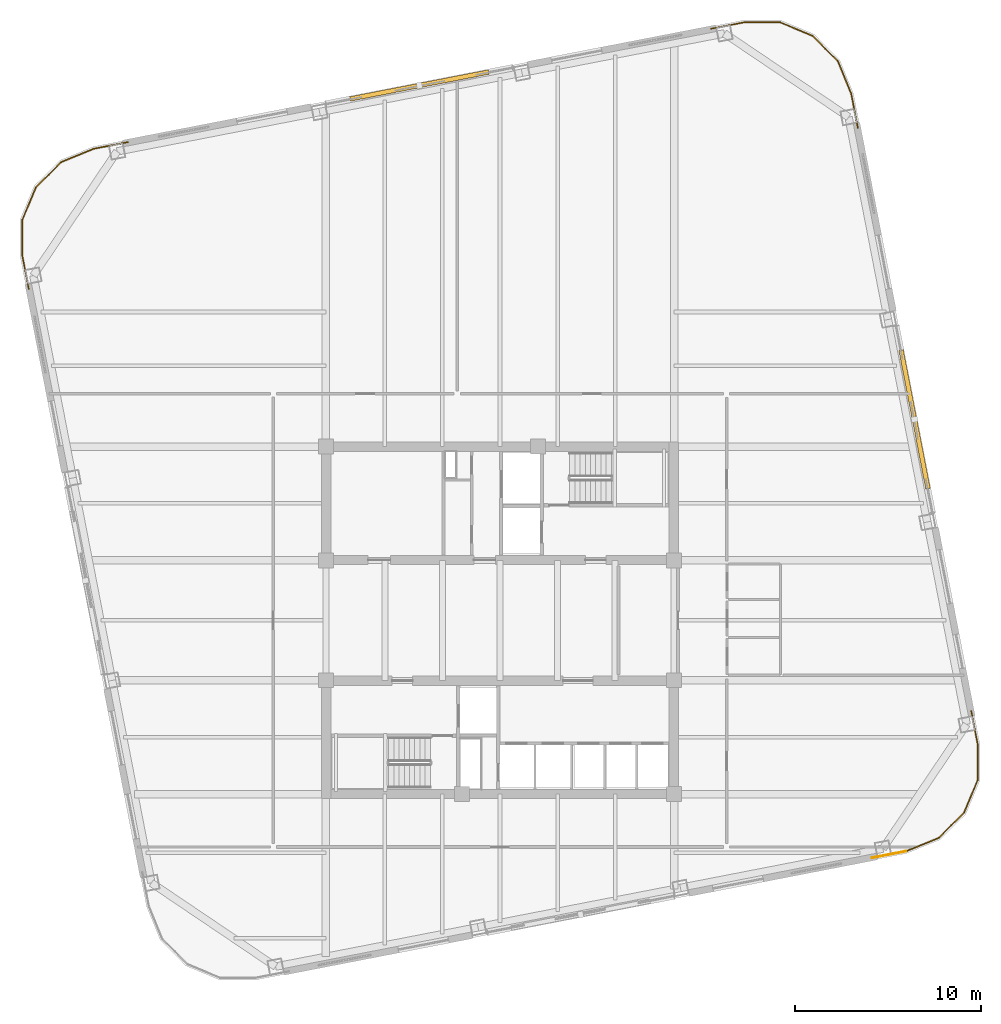
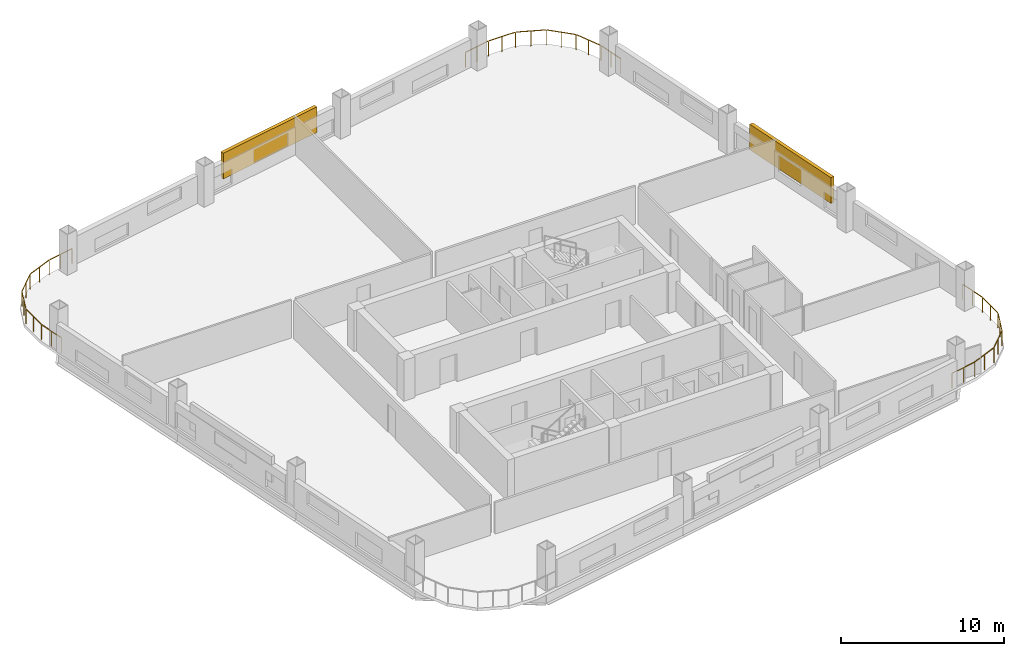
# One storey, part 8 of 8: 4 railings, 2 shading devices.
"""IFC4 building model written with IfcOpenShell, lengths in metres."""

from ifc_helpers import new_model, si_unit, direction, frame, origin, origin_2d, place, context, subcontext, project, spatial, rectangle, extrude, material, type_object, element, save


model = new_model("IFC4")

# Units and contexts
model_context = context("Model", 3, precision=1e-05, world=origin(), true_north=direction((0.0, 1.0)))
body_context = subcontext(model_context, "Body", "Model", "MODEL_VIEW")
ifc_project = project(units=[si_unit("LENGTHUNIT", "METRE"), si_unit("AREAUNIT", "SQUARE_METRE"), si_unit("VOLUMEUNIT", "CUBIC_METRE"), si_unit("PLANEANGLEUNIT", "RADIAN"), si_unit("MASSUNIT", "GRAM", prefix="KILO")], contexts=[model_context])

# Site, building, storey
site_placement = place(None, origin())
site = spatial("IfcSite", under=ifc_project, at=site_placement, CompositionType="ELEMENT")
building_placement = place(site_placement, origin())
building = spatial("IfcBuilding", under=site, at=building_placement, Name="Qhalaya Broadcast Tower", CompositionType="ELEMENT")
storey_placement = place(building_placement, frame((0.0, 0.0, 115.85009765625)))
storey = spatial("IfcBuildingStorey", under=building, at=storey_placement, Name="L33", CompositionType="ELEMENT", Elevation=115.85009765625)

# Railings
ifc_material_1 = material(Name="Powder-Coated Galvanised Steel", Category="steel")
railing_type = type_object("IfcRailingType", Name="Terrace, Sky-Pool & Lookout Glass Balustrade 1150", PredefinedType="BALUSTRADE", material=ifc_material_1)
railing_1_placement = place(storey_placement, frame((21.847412109375, -11.82861328125, 0.0)))
element("IfcRailing", 1, at=railing_1_placement, inside=storey, type_object=railing_type, Name="L33 Rounded Corner Perimeter Guard 01", PredefinedType="BALUSTRADE", context=body_context, shape_type="SweptSolid", body=[
    extrude(rectangle(XDim=0.048095703125, YDim=0.048095703125, at=origin_2d()), frame((0.0, 0.0, 1.1259765625), z_axis=(-0.981618812261, -0.190852056357, 0.0), x_axis=(0.190852056357, -0.981618812261, 0.0)), (0.0, 0.0, 1.0), 1.856201171875),
    extrude(rectangle(XDim=0.0419921875, YDim=0.0419921875, at=origin_2d()), origin(), (0.0, 0.0, 1.0), 1.099853515625),
    extrude(rectangle(XDim=0.0419921875, YDim=0.0419921875, at=origin_2d()), frame((-0.9111328125, -0.17724609375, 0.0)), (0.0, 0.0, 1.0), 1.099853515625),
    extrude(rectangle(XDim=0.0419921875, YDim=0.0419921875, at=origin_2d()), frame((-1.822021484375, -0.354248046875, 0.0)), (0.0, 0.0, 1.0), 1.099853515625),
])
railing_2_placement = place(storey_placement, frame((-25.36181640625, 18.43115234375, 0.0)))
element("IfcRailing", 2, at=railing_2_placement, inside=storey, type_object=railing_type, Name="L33 Rounded Corner Perimeter Guard 03", PredefinedType="BALUSTRADE", context=body_context, shape_type="SweptSolid", body=[
    extrude(rectangle(XDim=0.048095703125, YDim=0.048095703125, at=origin_2d()), frame((0.0, 0.0, 1.1259765625), z_axis=(-0.190827417864, 0.981623602299, 0.0), x_axis=(-0.981623602299, -0.190827417864, 0.0)), (0.0, 0.0, 1.0), 1.82763671875),
    extrude(rectangle(XDim=0.048095703125, YDim=0.048095703125, at=origin_2d()), frame((-0.35400390625, 1.85107421875, 1.1259765625), z_axis=(0.004334482484, 0.999990606087, 0.0), x_axis=(-0.999990606087, 0.004334482484, 0.0)), (0.0, 0.0, 1.0), 1.857421875),
    extrude(rectangle(XDim=0.048095703125, YDim=0.048095703125, at=origin_2d()), frame((-0.334716796875, 3.763916015625, 1.1259765625), z_axis=(0.386754828875, 0.922182575384, 0.0), x_axis=(-0.922182575384, 0.386754828875, 0.0)), (0.0, 0.0, 1.0), 1.845458984375),
    extrude(rectangle(XDim=0.048095703125, YDim=0.048095703125, at=origin_2d()), frame((0.41064453125, 5.5126953125, 1.1259765625), z_axis=(0.710178888649, 0.704021268228, 0.0), x_axis=(-0.704021268228, 0.710178888649, 0.0)), (0.0, 0.0, 1.0), 1.845458984375),
    extrude(rectangle(XDim=0.048095703125, YDim=0.048095703125, at=origin_2d()), frame((1.768310546875, 6.84326171875, 1.1259765625), z_axis=(0.92552055863, 0.378697366711, 0.0), x_axis=(-0.378697366711, 0.92552055863, 0.0)), (0.0, 0.0, 1.0), 1.857666015625),
    extrude(rectangle(XDim=0.048095703125, YDim=0.048095703125, at=origin_2d()), frame((3.542724609375, 7.563232421875, 1.1259765625), z_axis=(0.981643446311, 0.190725311155, 0.0), x_axis=(-0.190725311155, 0.981643446311, 0.0)), (0.0, 0.0, 1.0), 1.8271484375),
    extrude(rectangle(XDim=0.0419921875, YDim=0.0419921875, at=origin_2d()), origin(), (0.0, 0.0, 1.0), 1.099853515625),
    extrude(rectangle(XDim=0.0419921875, YDim=0.0419921875, at=origin_2d()), frame((-0.17724609375, 0.9111328125, 0.0)), (0.0, 0.0, 1.0), 1.099853515625),
    extrude(rectangle(XDim=0.0419921875, YDim=0.0419921875, at=origin_2d()), frame((-0.354248046875, 1.822265625, 0.0)), (0.0, 0.0, 1.0), 1.099853515625),
    extrude(rectangle(XDim=0.0419921875, YDim=0.0419921875, at=origin_2d()), frame((-0.35009765625, 2.77978515625, 0.0)), (0.0, 0.0, 1.0), 1.099853515625),
    extrude(rectangle(XDim=0.0419921875, YDim=0.0419921875, at=origin_2d()), frame((-0.345947265625, 3.7373046875, 0.0)), (0.0, 0.0, 1.0), 1.099853515625),
    extrude(rectangle(XDim=0.0419921875, YDim=0.0419921875, at=origin_2d()), frame((0.02197265625, 4.61474609375, 0.0)), (0.0, 0.0, 1.0), 1.099853515625),
    extrude(rectangle(XDim=0.0419921875, YDim=0.0419921875, at=origin_2d()), frame((0.39013671875, 5.492431640625, 0.0)), (0.0, 0.0, 1.0), 1.099853515625),
    extrude(rectangle(XDim=0.0419921875, YDim=0.0419921875, at=origin_2d()), frame((1.06591796875, 6.162353515625, 0.0)), (0.0, 0.0, 1.0), 1.099853515625),
    extrude(rectangle(XDim=0.0419921875, YDim=0.0419921875, at=origin_2d()), frame((1.74169921875, 6.832275390625, 0.0)), (0.0, 0.0, 1.0), 1.099853515625),
    extrude(rectangle(XDim=0.0419921875, YDim=0.0419921875, at=origin_2d()), frame((2.6279296875, 7.19482421875, 0.0)), (0.0, 0.0, 1.0), 1.099853515625),
    extrude(rectangle(XDim=0.0419921875, YDim=0.0419921875, at=origin_2d()), frame((3.514404296875, 7.5576171875, 0.0)), (0.0, 0.0, 1.0), 1.099853515625),
    extrude(rectangle(XDim=0.0419921875, YDim=0.0419921875, at=origin_2d()), frame((4.42529296875, 7.734619140625, 0.0)), (0.0, 0.0, 1.0), 1.099853515625),
    extrude(rectangle(XDim=0.0419921875, YDim=0.0419921875, at=origin_2d()), frame((5.33642578125, 7.91162109375, 0.0)), (0.0, 0.0, 1.0), 1.099853515625),
])
railing_3_placement = place(storey_placement, frame((11.351318359375, 32.44189453125, 0.0)))
element("IfcRailing", 3, at=railing_3_placement, inside=storey, type_object=railing_type, Name="L33 Rounded Corner Perimeter Guard 04", PredefinedType="BALUSTRADE", context=body_context, shape_type="SweptSolid", body=[
    extrude(rectangle(XDim=0.048095703125, YDim=0.048095703125, at=origin_2d()), frame((0.0, 0.0, 1.1259765625), z_axis=(0.981643446311, 0.190725311155, 0.0), x_axis=(-0.190725311155, 0.981643446311, 0.0)), (0.0, 0.0, 1.0), 1.8271484375),
    extrude(rectangle(XDim=0.048095703125, YDim=0.048095703125, at=origin_2d()), frame((1.850830078125, 0.353759765625, 1.1259765625), z_axis=(0.999990606087, -0.004334482484, 0.0), x_axis=(0.004334482484, 0.999990606087, 0.0)), (0.0, 0.0, 1.0), 1.857421875),
    extrude(rectangle(XDim=0.048095703125, YDim=0.048095703125, at=origin_2d()), frame((3.763671875, 0.33447265625, 1.1259765625), z_axis=(0.922247496545, -0.386599993684, 0.0), x_axis=(0.386599993684, 0.922247496545, 0.0)), (0.0, 0.0, 1.0), 1.845703125),
    extrude(rectangle(XDim=0.048095703125, YDim=0.048095703125, at=origin_2d()), frame((5.5126953125, -0.41064453125, 1.1259765625), z_axis=(0.704021268228, -0.710178888649, 0.0), x_axis=(0.710178888649, 0.704021268228, 0.0)), (0.0, 0.0, 1.0), 1.845458984375),
    extrude(rectangle(XDim=0.048095703125, YDim=0.048095703125, at=origin_2d()), frame((6.84326171875, -1.768310546875, 1.1259765625), z_axis=(0.378588174109, -0.925565229698, 0.0), x_axis=(0.925565229698, 0.378588174109, 0.0)), (0.0, 0.0, 1.0), 1.857666015625),
    extrude(rectangle(XDim=0.048095703125, YDim=0.048095703125, at=origin_2d()), frame((7.56298828125, -3.542724609375, 1.1259765625), z_axis=(0.190725311155, -0.981643446311, 0.0), x_axis=(0.981643446311, 0.190725311155, 0.0)), (0.0, 0.0, 1.0), 1.8271484375),
    extrude(rectangle(XDim=0.0419921875, YDim=0.0419921875, at=origin_2d()), origin(), (0.0, 0.0, 1.0), 1.099853515625),
    extrude(rectangle(XDim=0.0419921875, YDim=0.0419921875, at=origin_2d()), frame((0.9111328125, 0.177001953125, 0.0)), (0.0, 0.0, 1.0), 1.099853515625),
    extrude(rectangle(XDim=0.0419921875, YDim=0.0419921875, at=origin_2d()), frame((1.822021484375, 0.35400390625, 0.0)), (0.0, 0.0, 1.0), 1.099853515625),
    extrude(rectangle(XDim=0.0419921875, YDim=0.0419921875, at=origin_2d()), frame((2.779541015625, 0.349853515625, 0.0)), (0.0, 0.0, 1.0), 1.099853515625),
    extrude(rectangle(XDim=0.0419921875, YDim=0.0419921875, at=origin_2d()), frame((3.737060546875, 0.345703125, 0.0)), (0.0, 0.0, 1.0), 1.099853515625),
    extrude(rectangle(XDim=0.0419921875, YDim=0.0419921875, at=origin_2d()), frame((4.61474609375, -0.022216796875, 0.0)), (0.0, 0.0, 1.0), 1.099853515625),
    extrude(rectangle(XDim=0.0419921875, YDim=0.0419921875, at=origin_2d()), frame((5.492431640625, -0.39013671875, 0.0)), (0.0, 0.0, 1.0), 1.099853515625),
    extrude(rectangle(XDim=0.0419921875, YDim=0.0419921875, at=origin_2d()), frame((6.162353515625, -1.06591796875, 0.0)), (0.0, 0.0, 1.0), 1.099853515625),
    extrude(rectangle(XDim=0.0419921875, YDim=0.0419921875, at=origin_2d()), frame((6.832275390625, -1.74169921875, 0.0)), (0.0, 0.0, 1.0), 1.099853515625),
    extrude(rectangle(XDim=0.0419921875, YDim=0.0419921875, at=origin_2d()), frame((7.19482421875, -2.6279296875, 0.0)), (0.0, 0.0, 1.0), 1.099853515625),
    extrude(rectangle(XDim=0.0419921875, YDim=0.0419921875, at=origin_2d()), frame((7.557373046875, -3.514404296875, 0.0)), (0.0, 0.0, 1.0), 1.099853515625),
    extrude(rectangle(XDim=0.0419921875, YDim=0.0419921875, at=origin_2d()), frame((7.734375, -4.42529296875, 0.0)), (0.0, 0.0, 1.0), 1.099853515625),
    extrude(rectangle(XDim=0.0419921875, YDim=0.0419921875, at=origin_2d()), frame((7.911376953125, -5.33642578125, 0.0)), (0.0, 0.0, 1.0), 1.099853515625),
])
railing_4_placement = place(storey_placement, frame((25.36181640625, -4.271240234375, 0.0)))
element("IfcRailing", 4, at=railing_4_placement, inside=storey, type_object=railing_type, Name="L33 Rounded Corner Perimeter Guard 05", PredefinedType="BALUSTRADE", context=body_context, shape_type="SweptSolid", body=[
    extrude(rectangle(XDim=0.048095703125, YDim=0.048095703125, at=origin_2d()), frame((0.0, 0.0, 1.1259765625), z_axis=(0.190827417864, -0.981623602299, 0.0), x_axis=(0.981623602299, 0.190827417864, 0.0)), (0.0, 0.0, 1.0), 1.82763671875),
    extrude(rectangle(XDim=0.048095703125, YDim=0.048095703125, at=origin_2d()), frame((0.35400390625, -1.85107421875, 1.1259765625), z_axis=(-0.004334482484, -0.999990606087, 0.0), x_axis=(0.999990606087, -0.004334482484, 0.0)), (0.0, 0.0, 1.0), 1.857421875),
    extrude(rectangle(XDim=0.048095703125, YDim=0.048095703125, at=origin_2d()), frame((0.334716796875, -3.763916015625, 1.1259765625), z_axis=(-0.386754828875, -0.922182575384, 0.0), x_axis=(0.922182575384, -0.386754828875, 0.0)), (0.0, 0.0, 1.0), 1.845458984375),
    extrude(rectangle(XDim=0.048095703125, YDim=0.048095703125, at=origin_2d()), frame((-0.41064453125, -5.5126953125, 1.1259765625), z_axis=(-0.710178888649, -0.704021268228, 0.0), x_axis=(0.704021268228, -0.710178888649, 0.0)), (0.0, 0.0, 1.0), 1.845458984375),
    extrude(rectangle(XDim=0.048095703125, YDim=0.048095703125, at=origin_2d()), frame((-1.768310546875, -6.84326171875, 1.1259765625), z_axis=(-0.925565229698, -0.378588174109, 0.0), x_axis=(0.378588174109, -0.925565229698, 0.0)), (0.0, 0.0, 1.0), 1.886474609375),
    extrude(rectangle(XDim=0.0419921875, YDim=0.0419921875, at=origin_2d()), origin(), (0.0, 0.0, 1.0), 1.099853515625),
    extrude(rectangle(XDim=0.0419921875, YDim=0.0419921875, at=origin_2d()), frame((0.17724609375, -0.9111328125, 0.0)), (0.0, 0.0, 1.0), 1.099853515625),
    extrude(rectangle(XDim=0.0419921875, YDim=0.0419921875, at=origin_2d()), frame((0.354248046875, -1.822265625, 0.0)), (0.0, 0.0, 1.0), 1.099853515625),
    extrude(rectangle(XDim=0.0419921875, YDim=0.0419921875, at=origin_2d()), frame((0.35009765625, -2.77978515625, 0.0)), (0.0, 0.0, 1.0), 1.099853515625),
    extrude(rectangle(XDim=0.0419921875, YDim=0.0419921875, at=origin_2d()), frame((0.345947265625, -3.7373046875, 0.0)), (0.0, 0.0, 1.0), 1.099853515625),
    extrude(rectangle(XDim=0.0419921875, YDim=0.0419921875, at=origin_2d()), frame((-0.02197265625, -4.61474609375, 0.0)), (0.0, 0.0, 1.0), 1.099853515625),
    extrude(rectangle(XDim=0.0419921875, YDim=0.0419921875, at=origin_2d()), frame((-0.39013671875, -5.492431640625, 0.0)), (0.0, 0.0, 1.0), 1.099853515625),
    extrude(rectangle(XDim=0.0419921875, YDim=0.0419921875, at=origin_2d()), frame((-1.06591796875, -6.162353515625, 0.0)), (0.0, 0.0, 1.0), 1.099853515625),
    extrude(rectangle(XDim=0.0419921875, YDim=0.0419921875, at=origin_2d()), frame((-1.74169921875, -6.832275390625, 0.0)), (0.0, 0.0, 1.0), 1.099853515625),
    extrude(rectangle(XDim=0.0419921875, YDim=0.0419921875, at=origin_2d()), frame((-2.6279296875, -7.19482421875, 0.0)), (0.0, 0.0, 1.0), 1.099853515625),
    extrude(rectangle(XDim=0.0419921875, YDim=0.0419921875, at=origin_2d()), frame((-3.514404296875, -7.557373046875, 0.0)), (0.0, 0.0, 1.0), 1.099853515625),
])

# Shading devices
ifc_material_2 = material(Name="Fired Architectural Terracotta", Category="masonry")
shading_device_type = type_object("IfcShadingDeviceType", Name="Terracotta Baguette Solar Screen Assembly TBS-01", PredefinedType="USERDEFINED", material=ifc_material_2)
for number, where, z_axis, x_axis, name in (
    (5, (22.3125, 11.4169921875, 0.79248046875), (0.0, 0.0, 1.0), (-0.190808995377, 0.981627183448, 0.0), "L33 Fired Terracotta Baguette Screen E"),
    (6, (-4.337158203125, 29.392333984375, 0.79248046875), (0.0, 0.0, 1.0), (-0.981627183448, -0.190808995377, 0.0), "L33 Fired Terracotta Baguette Screen N"),
):
    element("IfcShadingDevice", number, at=place(storey_placement, frame(where, z_axis=z_axis, x_axis=x_axis)), inside=storey, type_object=shading_device_type, Name=name, ObjectType="BAGUETTE", PredefinedType="USERDEFINED", context=body_context, shape_type="SweptSolid", body=[
        extrude(rectangle(XDim=7.60009765625, YDim=0.239990234375, at=origin_2d()), origin(), (0.0, 0.0, 1.0), 1.924072265625),
    ])

save(model, "model.ifc")
